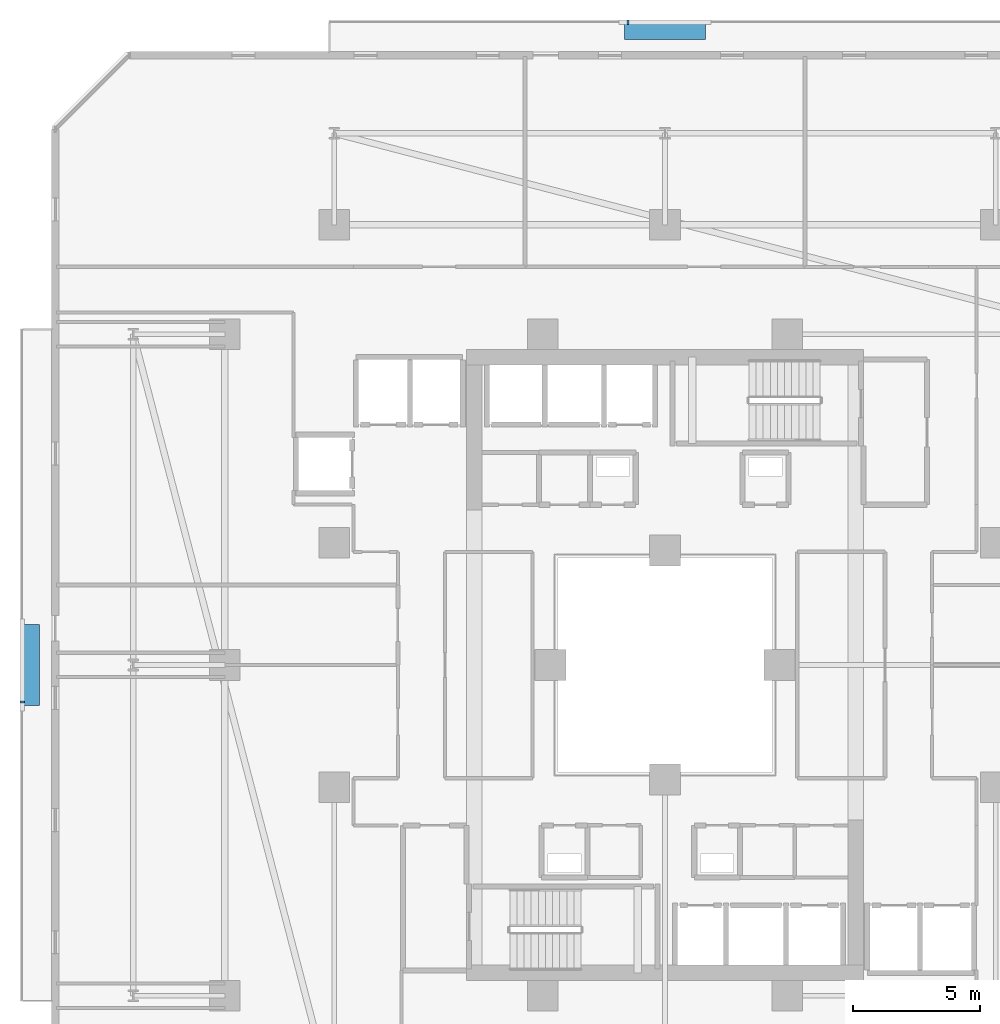
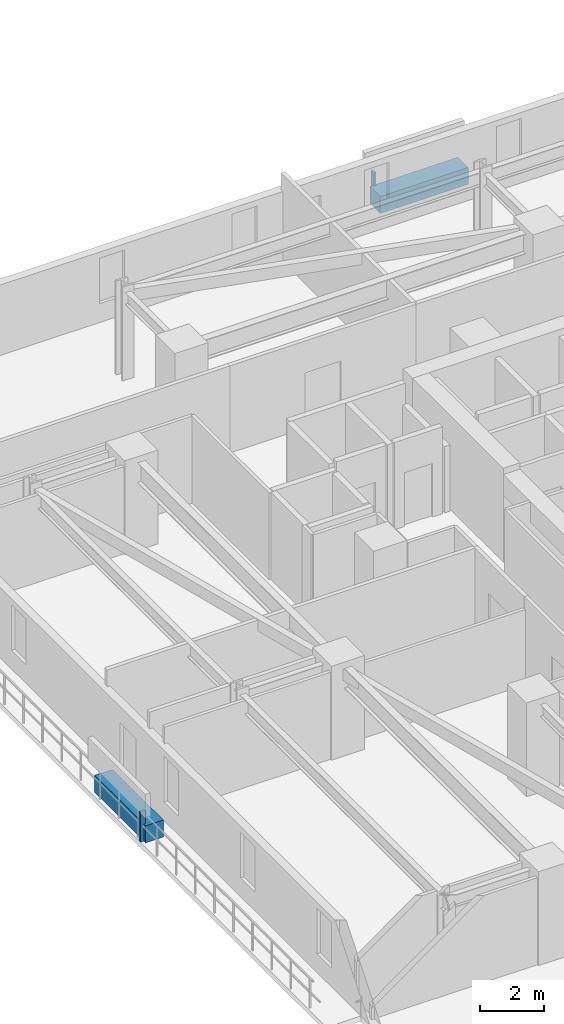
# One storey, part 28 of 33: 4 discrete accessories.
"""IFC4 building model written with IfcOpenShell, lengths in metres."""

from ifc_helpers import new_model, si_unit, direction, frame, origin, origin_2d, place, context, subcontext, project, spatial, rectangle, extrude, material, type_object, element, save


model = new_model("IFC4")

# Units and contexts
model_context = context("Model", 3, precision=1e-05, world=origin(), true_north=direction((0.0, 1.0)))
body_context = subcontext(model_context, "Body", "Model", "MODEL_VIEW")
ifc_project = project(units=[si_unit("LENGTHUNIT", "METRE"), si_unit("AREAUNIT", "SQUARE_METRE"), si_unit("VOLUMEUNIT", "CUBIC_METRE"), si_unit("PLANEANGLEUNIT", "RADIAN"), si_unit("MASSUNIT", "GRAM", prefix="KILO")], contexts=[model_context])

# Site, building, storey
site_placement = place(None, origin())
site = spatial("IfcSite", under=ifc_project, at=site_placement, CompositionType="ELEMENT")
building_placement = place(site_placement, origin())
building = spatial("IfcBuilding", under=site, at=building_placement, Name="Thornwick Lancets Civic Towers", CompositionType="ELEMENT")
storey_placement = place(building_placement, frame((0.0, 0.0, 112.5)))
storey = spatial("IfcBuildingStorey", under=building, at=storey_placement, Name="L29", CompositionType="ELEMENT", Elevation=112.5)

# Discrete accessories
ifc_material_1 = material(Name="Planted terracotta greenery planter", Category="masonry")
discrete_accessory_type_1 = type_object("IfcDiscreteAccessoryType", Name="ACC_PLANTER_BOX", PredefinedType="USERDEFINED", material=ifc_material_1)
discrete_accessory_1_placement = place(storey_placement, frame((25.5, 51.89990234375, 0.0), z_axis=(0.0, 0.0, 1.0), x_axis=(1.0, 0.0, 0.0)))
element("IfcDiscreteAccessory", 1, at=discrete_accessory_1_placement, inside=storey, type_object=discrete_accessory_type_1, Name="L29 Tower A Balcony Greenery Planter N", ObjectType="PLANTER", PredefinedType="USERDEFINED", context=body_context, shape_type="SweptSolid", body=[
    extrude(rectangle(XDim=3.199951171875, YDim=0.64990234375, at=origin_2d()), origin(), (0.0, 0.0, 1.0), 0.64990234375),
])
discrete_accessory_2_placement = place(storey_placement, frame((0.60009765625, 27.0, 0.0), z_axis=(0.0, 0.0, 1.0), x_axis=(1.0, 0.0, 0.0)))
element("IfcDiscreteAccessory", 2, at=discrete_accessory_2_placement, inside=storey, type_object=discrete_accessory_type_1, Name="L29 Tower A Balcony Greenery Planter W", ObjectType="PLANTER", PredefinedType="USERDEFINED", context=body_context, shape_type="SweptSolid", body=[
    extrude(rectangle(XDim=0.64990234375, YDim=3.199951171875, at=origin_2d()), origin(), (0.0, 0.0, 1.0), 0.64990234375),
])
ifc_material_2 = material(Name="Stainless steel S355", Category="steel")
discrete_accessory_type_2 = type_object("IfcDiscreteAccessoryType", Name="ACC_SCREEN_BRACKET", PredefinedType="BRACKET", material=ifc_material_2)
for number, where, z_axis, x_axis, name in (
    (3, (24.050048828125, 52.260009765625, 0.0), (0.0, 0.0, 1.0), (1.0, 0.0, 0.0), "L29 Tower A Balcony Screen Stanchion Bracket N-1"),
    (4, (0.239990234375, 25.550048828125, 0.0), (0.0, 0.0, 1.0), (0.0, 1.0, 0.0), "L29 Tower A Balcony Screen Stanchion Bracket W-1"),
):
    element("IfcDiscreteAccessory", number, at=place(storey_placement, frame(where, z_axis=z_axis, x_axis=x_axis)), inside=storey, type_object=discrete_accessory_type_2, Name=name, PredefinedType="BRACKET", context=body_context, shape_type="SweptSolid", body=[
        extrude(rectangle(XDim=0.080078125, YDim=0.179931640625, at=origin_2d()), origin(), (0.0, 0.0, 1.0), 1.14990234375),
    ])

save(model, "model.ifc")
